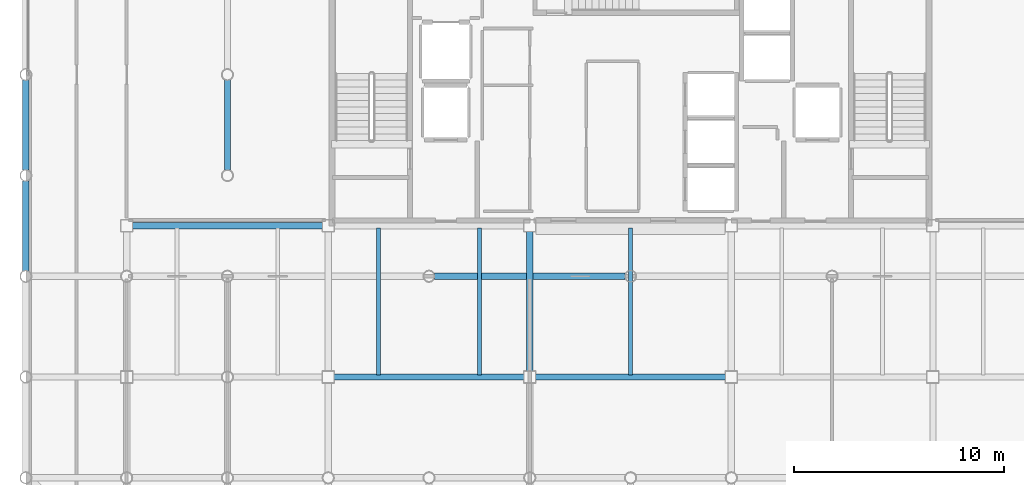
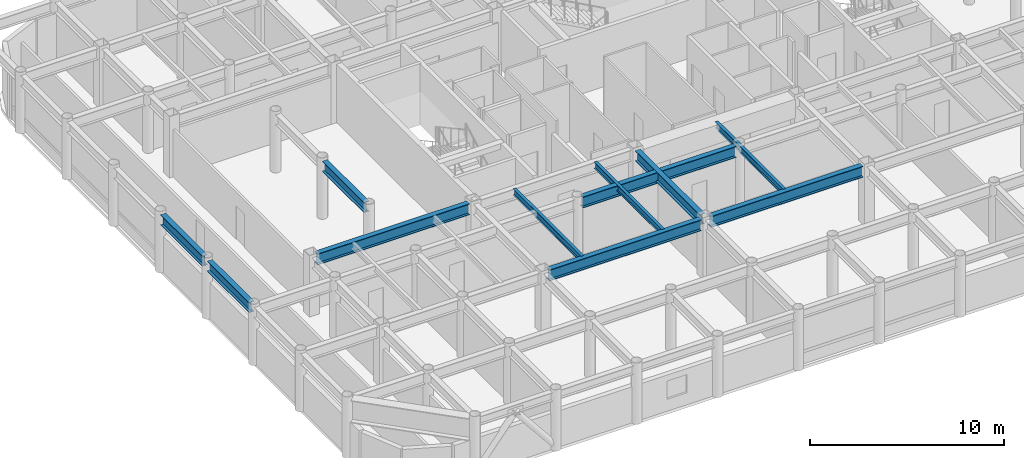
# One storey, part 5 of 21: 11 beams.
"""IFC4 building model written with IfcOpenShell, lengths in metres."""

from ifc_helpers import new_model, si_unit, direction, frame, origin, origin_2d, place, context, subcontext, project, spatial, i_section, extrude, material, material_profile, profile_set, type_object, element, save


model = new_model("IFC4")

# Units and contexts
model_context = context("Model", 3, precision=1e-05, world=origin(), true_north=direction((0.0, 1.0)))
body_context = subcontext(model_context, "Body", "Model", "MODEL_VIEW")
ifc_project = project(units=[si_unit("LENGTHUNIT", "METRE"), si_unit("AREAUNIT", "SQUARE_METRE"), si_unit("VOLUMEUNIT", "CUBIC_METRE"), si_unit("PLANEANGLEUNIT", "RADIAN"), si_unit("MASSUNIT", "GRAM", prefix="KILO")], contexts=[model_context])

# Site, building, storey
site_placement = place(None, origin())
site = spatial("IfcSite", under=ifc_project, at=site_placement, CompositionType="ELEMENT")
building_placement = place(site_placement, origin())
building = spatial("IfcBuilding", under=site, at=building_placement, Name="Kallvorn Hotel Tower", CompositionType="ELEMENT")
storey_placement = place(building_placement, frame((0.0, 0.0, 214.60009765625)))
storey = spatial("IfcBuildingStorey", under=building, at=storey_placement, Name="L53", CompositionType="ELEMENT", Elevation=214.60009765625)

# Beams
ifc_material_1 = material(Name="Structural steel S355JR", Category="steel")
ifc_material_profile_1 = material_profile(ifc_material_1, i_section(OverallWidth=0.300048828125, OverallDepth=0.64990234375, WebThickness=0.01611328125, FlangeThickness=0.031005859375, at=origin_2d()), Name="HE 650 B")
ifc_profile_set_1 = profile_set([ifc_material_profile_1], Name="Structural steel S355JR")
beam_type_1 = type_object("IfcBeamType", Name="BM_HE650B", PredefinedType="BEAM", material=ifc_profile_set_1)
for number, where, z_axis, x_axis, name in (
    (1, (-28.800048828125, -9.345458984375, 3.344970703125), (0.0, 1.0, 0.0), (-1.0, 0.0, 0.0), "L54 Primary Y-Girder 75"),
    (2, (-28.800048828125, -4.54541015625, 3.344970703125), (0.0, 1.0, 0.0), (-1.0, 0.0, 0.0), "L54 Primary Y-Girder 76"),
    (3, (-19.199951171875, -4.54541015625, 3.344970703125), (0.0, 1.0, 0.0), (-1.0, 0.0, 0.0), "L54 Primary Y-Girder 92"),
):
    element("IfcBeam", number, at=place(storey_placement, frame(where, z_axis=z_axis, x_axis=x_axis)), inside=storey, type_object=beam_type_1, Name=name, PredefinedType="BEAM", context=body_context, shape_type="SweptSolid", body=[
        extrude(i_section(OverallWidth=0.300048828125, OverallDepth=0.64990234375, WebThickness=0.01611328125, FlangeThickness=0.031005859375, at=origin_2d()), origin(), (0.0, 0.0, 1.0), 4.291015625),
    ])
beam_1_placement = place(storey_placement, frame((-4.800048828125, -14.125, 3.344970703125), z_axis=(0.0, 1.0, 0.0), x_axis=(-1.0, 0.0, 0.0)))
element("IfcBeam", 4, at=beam_1_placement, inside=storey, type_object=beam_type_1, Name="L54 Primary Y-Girder 107", PredefinedType="BEAM", context=body_context, shape_type="SweptSolid", body=[
    extrude(i_section(OverallWidth=0.300048828125, OverallDepth=0.64990234375, WebThickness=0.01611328125, FlangeThickness=0.031005859375, at=origin_2d()), origin(), (0.0, 0.0, 1.0), 6.64990234375),
])
ifc_material_2 = material(Name="Structural steel S355JR", Category="steel")
ifc_material_profile_2 = material_profile(ifc_material_2, i_section(OverallWidth=0.300048828125, OverallDepth=0.699951171875, WebThickness=0.01708984375, FlangeThickness=0.031982421875, at=origin_2d()), Name="HE 700 B")
ifc_profile_set_2 = profile_set([ifc_material_profile_2], Name="Structural steel S355JR")
beam_type_2 = type_object("IfcBeamType", Name="BM_HE700B", PredefinedType="BEAM", material=ifc_profile_set_2)
beam_2_placement = place(storey_placement, frame((-14.125, -14.39990234375, 3.31982421875), z_axis=(1.0, 0.0, 0.0), x_axis=(0.0, 1.0, 0.0)))
element("IfcBeam", 5, at=beam_2_placement, inside=storey, type_object=beam_type_2, Name="L54 Primary X-Girder 17", PredefinedType="BEAM", context=body_context, shape_type="SweptSolid", body=[
    extrude(i_section(OverallWidth=0.300048828125, OverallDepth=0.699951171875, WebThickness=0.01708984375, FlangeThickness=0.031982421875, at=origin_2d()), origin(), (0.0, 0.0, 1.0), 9.050048828125),
])
beam_3_placement = place(storey_placement, frame((-4.52490234375, -14.39990234375, 3.31982421875), z_axis=(1.0, 0.0, 0.0), x_axis=(0.0, 1.0, 0.0)))
element("IfcBeam", 6, at=beam_3_placement, inside=storey, type_object=beam_type_2, Name="L54 Primary X-Girder 18", PredefinedType="BEAM", context=body_context, shape_type="SweptSolid", body=[
    extrude(i_section(OverallWidth=0.300048828125, OverallDepth=0.699951171875, WebThickness=0.01708984375, FlangeThickness=0.031982421875, at=origin_2d()), origin(), (0.0, 0.0, 1.0), 9.0498046875),
])
beam_4_placement = place(storey_placement, frame((-9.345458984375, -9.60009765625, 3.31982421875), z_axis=(1.0, 0.0, 0.0), x_axis=(0.0, 1.0, 0.0)))
element("IfcBeam", 7, at=beam_4_placement, inside=storey, type_object=beam_type_2, Name="L54 Primary X-Girder 27", PredefinedType="BEAM", context=body_context, shape_type="SweptSolid", body=[
    extrude(i_section(OverallWidth=0.300048828125, OverallDepth=0.699951171875, WebThickness=0.01708984375, FlangeThickness=0.031982421875, at=origin_2d()), origin(), (0.0, 0.0, 1.0), 9.091064453125),
])
beam_5_placement = place(storey_placement, frame((-23.72509765625, -7.199951171875, 3.31982421875), z_axis=(1.0, 0.0, 0.0), x_axis=(0.0, 1.0, 0.0)))
element("IfcBeam", 8, at=beam_5_placement, inside=storey, type_object=beam_type_2, Name="L54 Primary X-Girder 33", PredefinedType="BEAM", context=body_context, shape_type="SweptSolid", body=[
    extrude(i_section(OverallWidth=0.300048828125, OverallDepth=0.699951171875, WebThickness=0.01708984375, FlangeThickness=0.031982421875, at=origin_2d()), origin(), (0.0, 0.0, 1.0), 9.050048828125),
])
ifc_material_3 = material(Name="Structural steel S355JR", Category="steel")
ifc_material_profile_3 = material_profile(ifc_material_3, i_section(OverallWidth=0.179931640625, OverallDepth=0.39990234375, WebThickness=0.008544921875, FlangeThickness=0.013427734375, at=origin_2d()), Name="IPE 400")
ifc_profile_set_3 = profile_set([ifc_material_profile_3], Name="Structural steel S355JR")
beam_type_3 = type_object("IfcBeamType", Name="BM_IPE400", PredefinedType="JOIST", material=ifc_profile_set_3)
for number, where, z_axis, x_axis, name in (
    (9, (-12.0, -14.300048828125, 3.469970703125), (0.0, 1.0, 0.0), (-1.0, 0.0, 0.0), "L54 Secondary Composite Joist 196"),
    (10, (-7.199951171875, -14.300048828125, 3.469970703125), (0.0, 1.0, 0.0), (-1.0, 0.0, 0.0), "L54 Secondary Composite Joist 198"),
    (11, (0.0, -14.300048828125, 3.469970703125), (0.0, 1.0, 0.0), (-1.0, 0.0, 0.0), "L54 Secondary Composite Joist 200"),
):
    element("IfcBeam", number, at=place(storey_placement, frame(where, z_axis=z_axis, x_axis=x_axis)), inside=storey, type_object=beam_type_3, Name=name, PredefinedType="JOIST", context=body_context, shape_type="SweptSolid", body=[
        extrude(i_section(OverallWidth=0.179931640625, OverallDepth=0.39990234375, WebThickness=0.008544921875, FlangeThickness=0.013427734375, at=origin_2d()), origin(), (0.0, 0.0, 1.0), 7.0),
    ])

save(model, "model.ifc")
